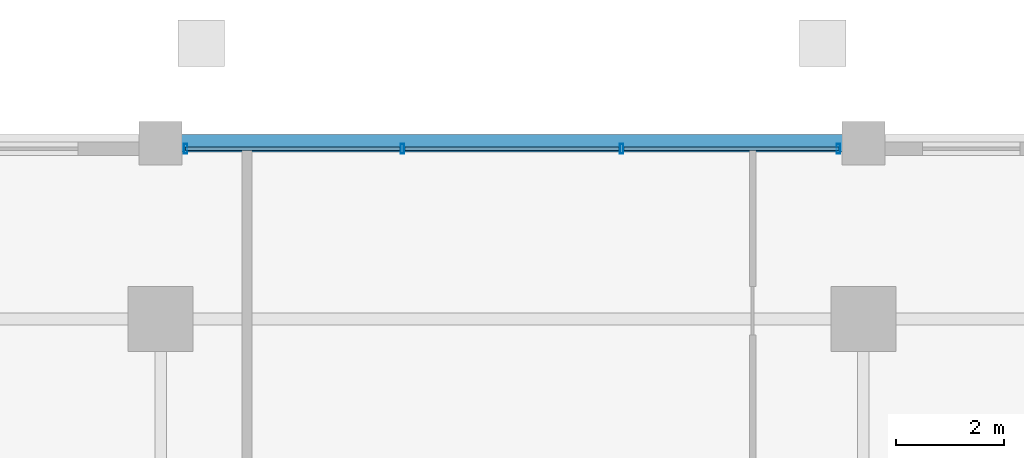
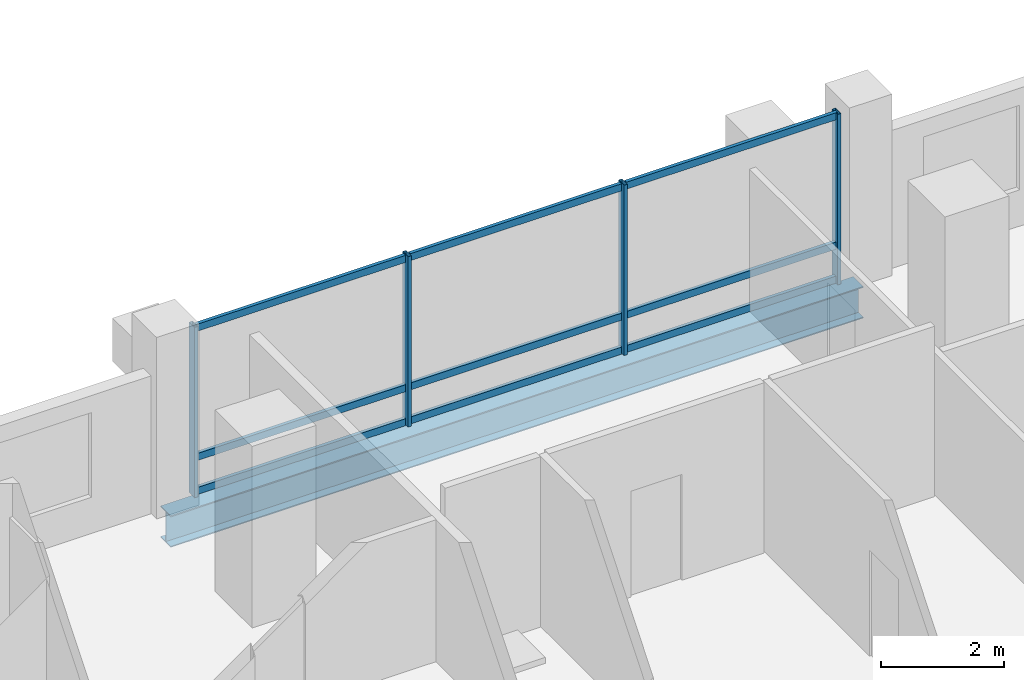
# One storey, part 10 of 20: 13 members, 1 beam, 1 element without a shape of its own.
"""IFC4 building model written with IfcOpenShell, lengths in metres."""

from ifc_helpers import new_model, si_unit, direction, frame, origin, origin_2d, place, context, subcontext, project, spatial, hollow_rectangle, i_section, extrude, material, layer, layer_set, material_profile, profile_set, type_object, element, aggregate, save


model = new_model("IFC4")

# Units and contexts
model_context = context("Model", 3, precision=1e-05, world=origin(), true_north=direction((0.0, 1.0)))
body_context = subcontext(model_context, "Body", "Model", "MODEL_VIEW")
ifc_project = project(units=[si_unit("LENGTHUNIT", "METRE"), si_unit("AREAUNIT", "SQUARE_METRE"), si_unit("VOLUMEUNIT", "CUBIC_METRE"), si_unit("PLANEANGLEUNIT", "RADIAN"), si_unit("MASSUNIT", "GRAM", prefix="KILO")], contexts=[model_context])

# Site, building, storey
site_placement = place(None, origin())
site = spatial("IfcSite", under=ifc_project, at=site_placement, CompositionType="ELEMENT")
building_placement = place(site_placement, origin())
building = spatial("IfcBuilding", under=site, at=building_placement, Name="Barlavira Tower and Art Museum", CompositionType="ELEMENT")
storey_placement = place(building_placement, frame((0.0, 0.0, 102.60009765625)))
storey = spatial("IfcBuildingStorey", under=building, at=storey_placement, Name="L25", CompositionType="ELEMENT", Elevation=102.60009765625)

# Curtain wall, members
ifc_material_1 = material(Name="Low-iron coastal laminated glass", Category="glass")
ifc_layer = layer(ifc_material_1, 0.18994140625, Name="Low-iron coastal laminated glass")
ifc_layer_set = layer_set([ifc_layer], Name="Low-iron coastal laminated glass")
curtain_wall_type = type_object("IfcCurtainWallType", Name="Pale-Metal Unitised Curtain Wall Zone 2", PredefinedType="NOTDEFINED", material=ifc_layer_set)
curtain_wall_placement = place(storey_placement, origin())
curtain_wall = element("IfcCurtainWall", 1, at=curtain_wall_placement, inside=storey, type_object=curtain_wall_type, Name="L25 Curtain Wall CW2-L25-N-B3", PredefinedType="NOTDEFINED")
ifc_material_2 = material(Name="Pale anodised aluminium", Category="aluminium")
ifc_material_profile_1 = material_profile(ifc_material_2, hollow_rectangle(XDim=0.06494140625, YDim=0.179931640625, WallThickness=0.00390625, at=origin_2d()), Name="ALU-MULL 65x180x4")
ifc_profile_set_1 = profile_set([ifc_material_profile_1], Name="Pale anodised aluminium")
member_type_1 = type_object("IfcMemberType", Name="Curtain Wall Pale-Metal Mullion 65x180", PredefinedType="MULLION", material=ifc_profile_set_1)
member_1_placement = place(storey_placement, frame((6.034912109375, 23.14990234375, 0.0), z_axis=(0.0, 0.0, 1.0), x_axis=(-1.0, 0.0, 0.0)))
member_1 = element("IfcMember", 2, at=member_1_placement, type_object=member_type_1, Name="CW2-L25-N-B3 Mullion 0", PredefinedType="MULLION", context=body_context, shape_type="SweptSolid", body=[
    extrude(hollow_rectangle(XDim=0.06494140625, YDim=0.179931640625, WallThickness=0.00390625, at=origin_2d()), origin(), (0.0, 0.0, 1.0), 3.3798828125),
])
member_2_placement = place(storey_placement, frame((2.026611328125, 23.14990234375, 0.0), z_axis=(0.0, 0.0, 1.0), x_axis=(-1.0, 0.0, 0.0)))
member_2 = element("IfcMember", 3, at=member_2_placement, type_object=member_type_1, Name="CW2-L25-N-B3 Mullion 1", PredefinedType="MULLION", context=body_context, shape_type="SweptSolid", body=[
    extrude(hollow_rectangle(XDim=0.06494140625, YDim=0.179931640625, WallThickness=0.00390625, at=origin_2d()), origin(), (0.0, 0.0, 1.0), 3.3798828125),
])
member_3_placement = place(storey_placement, frame((-2.026611328125, 23.14990234375, 0.0), z_axis=(0.0, 0.0, 1.0), x_axis=(-1.0, 0.0, 0.0)))
member_3 = element("IfcMember", 4, at=member_3_placement, type_object=member_type_1, Name="CW2-L25-N-B3 Mullion 2", PredefinedType="MULLION", context=body_context, shape_type="SweptSolid", body=[
    extrude(hollow_rectangle(XDim=0.06494140625, YDim=0.179931640625, WallThickness=0.00390625, at=origin_2d()), origin(), (0.0, 0.0, 1.0), 3.3798828125),
])
member_4_placement = place(storey_placement, frame((-6.034912109375, 23.14990234375, 0.0), z_axis=(0.0, 0.0, 1.0), x_axis=(-1.0, 0.0, 0.0)))
member_4 = element("IfcMember", 5, at=member_4_placement, type_object=member_type_1, Name="CW2-L25-N-B3 Mullion 3", PredefinedType="MULLION", context=body_context, shape_type="SweptSolid", body=[
    extrude(hollow_rectangle(XDim=0.06494140625, YDim=0.179931640625, WallThickness=0.00390625, at=origin_2d()), origin(), (0.0, 0.0, 1.0), 3.3798828125),
])
ifc_material_profile_2 = material_profile(ifc_material_2, hollow_rectangle(XDim=0.06494140625, YDim=0.139892578125, WallThickness=0.00390625, at=origin_2d()), Name="ALU-TRAN 65x140x4")
ifc_profile_set_2 = profile_set([ifc_material_profile_2], Name="Pale anodised aluminium")
member_type_2 = type_object("IfcMemberType", Name="Curtain Wall Pale-Metal Transom 65x140", PredefinedType="USERDEFINED", material=ifc_profile_set_2)
member_5_placement = place(storey_placement, frame((6.034912109375, 23.14990234375, 0.06982421875), z_axis=(-1.0, 0.0, 0.0), x_axis=(0.0, -1.0, 0.0)))
member_5 = element("IfcMember", 6, at=member_5_placement, type_object=member_type_2, Name="CW2-L25-N-B3 Transom 0.1", ObjectType="TRANSOM", PredefinedType="USERDEFINED", context=body_context, shape_type="SweptSolid", body=[
    extrude(hollow_rectangle(XDim=0.06494140625, YDim=0.139892578125, WallThickness=0.00390625, at=origin_2d()), origin(), (0.0, 0.0, 1.0), 3.963134765625),
])
member_6_placement = place(storey_placement, frame((6.034912109375, 23.14990234375, 0.743896484375), z_axis=(-1.0, 0.0, 0.0), x_axis=(0.0, -1.0, 0.0)))
member_6 = element("IfcMember", 7, at=member_6_placement, type_object=member_type_2, Name="CW2-L25-N-B3 Transom 0.2", ObjectType="TRANSOM", PredefinedType="USERDEFINED", context=body_context, shape_type="SweptSolid", body=[
    extrude(hollow_rectangle(XDim=0.06494140625, YDim=0.139892578125, WallThickness=0.00390625, at=origin_2d()), origin(), (0.0, 0.0, 1.0), 3.963134765625),
])
member_7_placement = place(storey_placement, frame((6.034912109375, 23.14990234375, 3.309814453125), z_axis=(-1.0, 0.0, 0.0), x_axis=(0.0, -1.0, 0.0)))
member_7 = element("IfcMember", 8, at=member_7_placement, type_object=member_type_2, Name="CW2-L25-N-B3 Transom 0.3", ObjectType="TRANSOM", PredefinedType="USERDEFINED", context=body_context, shape_type="SweptSolid", body=[
    extrude(hollow_rectangle(XDim=0.06494140625, YDim=0.139892578125, WallThickness=0.00390625, at=origin_2d()), origin(), (0.0, 0.0, 1.0), 3.963134765625),
])
member_8_placement = place(storey_placement, frame((1.981689453125, 23.14990234375, 0.06982421875), z_axis=(-1.0, 0.0, 0.0), x_axis=(0.0, -1.0, 0.0)))
member_8 = element("IfcMember", 9, at=member_8_placement, type_object=member_type_2, Name="CW2-L25-N-B3 Transom 1.1", ObjectType="TRANSOM", PredefinedType="USERDEFINED", context=body_context, shape_type="SweptSolid", body=[
    extrude(hollow_rectangle(XDim=0.06494140625, YDim=0.139892578125, WallThickness=0.00390625, at=origin_2d()), origin(), (0.0, 0.0, 1.0), 3.96337890625),
])
member_9_placement = place(storey_placement, frame((1.981689453125, 23.14990234375, 0.743896484375), z_axis=(-1.0, 0.0, 0.0), x_axis=(0.0, -1.0, 0.0)))
member_9 = element("IfcMember", 10, at=member_9_placement, type_object=member_type_2, Name="CW2-L25-N-B3 Transom 1.2", ObjectType="TRANSOM", PredefinedType="USERDEFINED", context=body_context, shape_type="SweptSolid", body=[
    extrude(hollow_rectangle(XDim=0.06494140625, YDim=0.139892578125, WallThickness=0.00390625, at=origin_2d()), origin(), (0.0, 0.0, 1.0), 3.96337890625),
])
member_10_placement = place(storey_placement, frame((1.981689453125, 23.14990234375, 3.309814453125), z_axis=(-1.0, 0.0, 0.0), x_axis=(0.0, -1.0, 0.0)))
member_10 = element("IfcMember", 11, at=member_10_placement, type_object=member_type_2, Name="CW2-L25-N-B3 Transom 1.3", ObjectType="TRANSOM", PredefinedType="USERDEFINED", context=body_context, shape_type="SweptSolid", body=[
    extrude(hollow_rectangle(XDim=0.06494140625, YDim=0.139892578125, WallThickness=0.00390625, at=origin_2d()), origin(), (0.0, 0.0, 1.0), 3.96337890625),
])
member_11_placement = place(storey_placement, frame((-2.07177734375, 23.14990234375, 0.06982421875), z_axis=(-1.0, 0.0, 0.0), x_axis=(0.0, -1.0, 0.0)))
member_11 = element("IfcMember", 12, at=member_11_placement, type_object=member_type_2, Name="CW2-L25-N-B3 Transom 2.1", ObjectType="TRANSOM", PredefinedType="USERDEFINED", context=body_context, shape_type="SweptSolid", body=[
    extrude(hollow_rectangle(XDim=0.06494140625, YDim=0.139892578125, WallThickness=0.00390625, at=origin_2d()), origin(), (0.0, 0.0, 1.0), 3.963134765625),
])
member_12_placement = place(storey_placement, frame((-2.07177734375, 23.14990234375, 0.743896484375), z_axis=(-1.0, 0.0, 0.0), x_axis=(0.0, -1.0, 0.0)))
member_12 = element("IfcMember", 13, at=member_12_placement, type_object=member_type_2, Name="CW2-L25-N-B3 Transom 2.2", ObjectType="TRANSOM", PredefinedType="USERDEFINED", context=body_context, shape_type="SweptSolid", body=[
    extrude(hollow_rectangle(XDim=0.06494140625, YDim=0.139892578125, WallThickness=0.00390625, at=origin_2d()), origin(), (0.0, 0.0, 1.0), 3.963134765625),
])
member_13_placement = place(storey_placement, frame((-2.07177734375, 23.14990234375, 3.309814453125), z_axis=(-1.0, 0.0, 0.0), x_axis=(0.0, -1.0, 0.0)))
member_13 = element("IfcMember", 14, at=member_13_placement, type_object=member_type_2, Name="CW2-L25-N-B3 Transom 2.3", ObjectType="TRANSOM", PredefinedType="USERDEFINED", context=body_context, shape_type="SweptSolid", body=[
    extrude(hollow_rectangle(XDim=0.06494140625, YDim=0.139892578125, WallThickness=0.00390625, at=origin_2d()), origin(), (0.0, 0.0, 1.0), 3.963134765625),
])
aggregate(curtain_wall, [member_1, member_2, member_3, member_4, member_5, member_6, member_7, member_8, member_9, member_10, member_11, member_12, member_13])

# Beam
ifc_material_3 = material(Name="Steel S355", Category="steel")
ifc_material_profile_3 = material_profile(ifc_material_3, i_section(OverallWidth=0.327880859375, OverallDepth=0.62890625, WebThickness=0.013916015625, FlangeThickness=0.021484375, at=origin_2d()), Name="W610x174.0")
ifc_profile_set_3 = profile_set([ifc_material_profile_3], Name="Steel S355")
beam_type = type_object("IfcBeamType", Name="Perimeter Spandrel Edge Beam W610x174 Steel S355", PredefinedType="SPANDREL", material=ifc_profile_set_3)
beam_placement = place(storey_placement, frame((-6.5, 23.25, -0.53466796875), z_axis=(1.0, 0.0, 0.0), x_axis=(0.0, 1.0, 0.0)))
element("IfcBeam", 15, at=beam_placement, inside=storey, type_object=beam_type, Name="L25 Spandrel 10", PredefinedType="SPANDREL", context=body_context, shape_type="SweptSolid", body=[
    extrude(i_section(OverallWidth=0.327880859375, OverallDepth=0.62890625, WebThickness=0.013916015625, FlangeThickness=0.021484375, at=origin_2d()), origin(), (0.0, 0.0, 1.0), 13.0),
])

save(model, "model.ifc")
